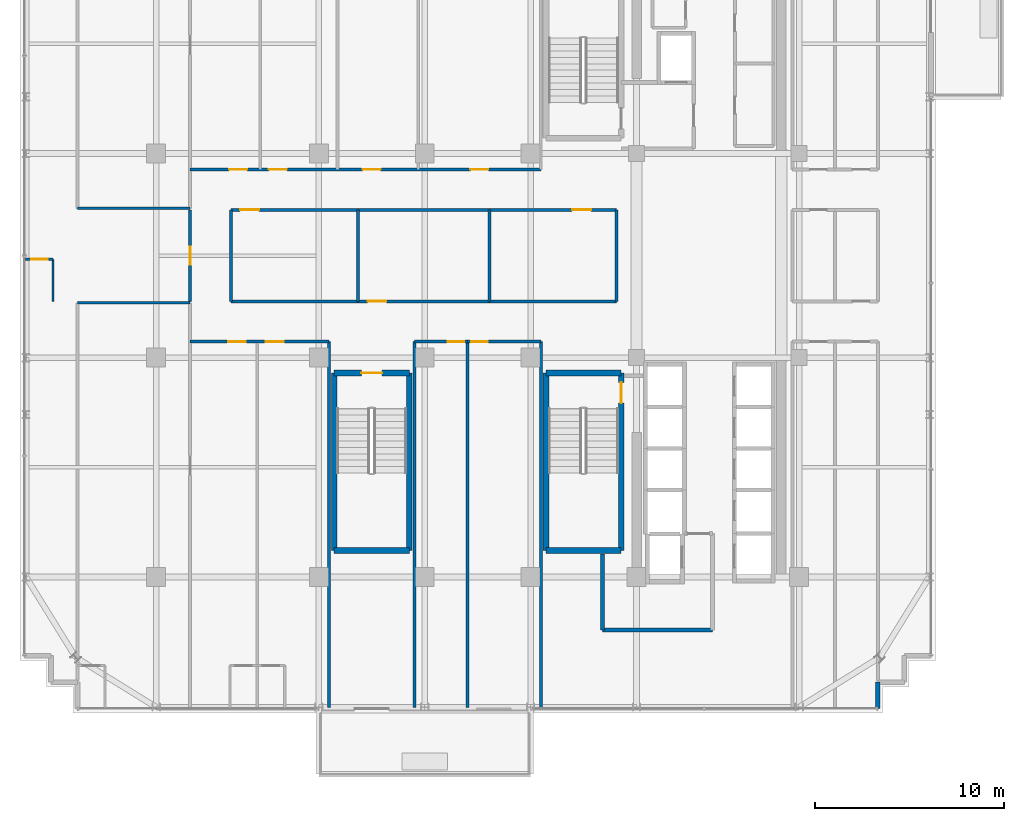
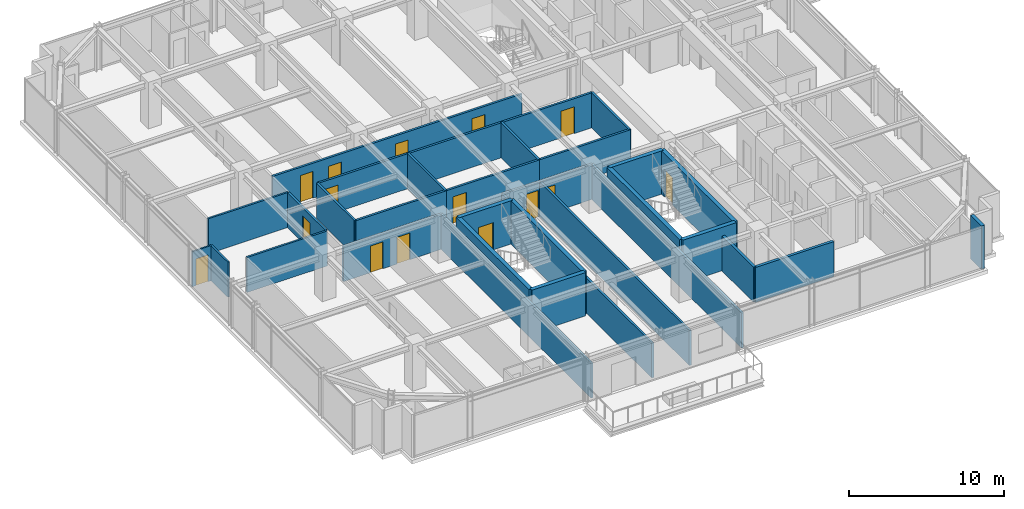
# One storey, part 28 of 34: 34 walls, 15 doors, 15 openings.
"""IFC4 building model written with IfcOpenShell, lengths in metres."""

from ifc_helpers import new_model, si_unit, direction, frame, frame_2d, origin, place, context, subcontext, project, spatial, rectangle, extrude, source, transform, mapped, material, layer, layer_set, type_object, element, fill, save


model = new_model("IFC4")

# Units and contexts
model_context = context("Model", 3, precision=1e-05, world=origin(), true_north=direction((0.0, 1.0)))
body_context = subcontext(model_context, "Body", "Model", "MODEL_VIEW")
ifc_project = project(units=[si_unit("LENGTHUNIT", "METRE"), si_unit("AREAUNIT", "SQUARE_METRE"), si_unit("VOLUMEUNIT", "CUBIC_METRE"), si_unit("PLANEANGLEUNIT", "RADIAN"), si_unit("MASSUNIT", "GRAM", prefix="KILO")], contexts=[model_context])

# Site, building, storey
site_placement = place(None, origin())
site = spatial("IfcSite", under=ifc_project, at=site_placement, CompositionType="ELEMENT")
building_placement = place(site_placement, origin())
building = spatial("IfcBuilding", under=site, at=building_placement, Name="Nahalor Promenade Grand Hotel", CompositionType="ELEMENT")
storey_placement = place(building_placement, frame((0.0, 0.0, 208.60009765625)))
storey = spatial("IfcBuildingStorey", under=building, at=storey_placement, Name="L53", CompositionType="ELEMENT", Elevation=208.60009765625)

# Walls
ifc_material_1 = material(Name="Concrete B-50 (C40/50)", Category="concrete")
ifc_layer_1 = layer(ifc_material_1, 0.300048828125)
ifc_layer_set_1 = layer_set([ifc_layer_1], Name="Concrete B-50 (C40/50)")
wall_type_1 = type_object("IfcWallType", Name="Wall-ShaftShear-300", PredefinedType="SHEAR", material=ifc_layer_set_1)
shared_shape_1 = source(origin(), body_context, "Body", "SweptSolid", [
    extrude(rectangle(XDim=3.97998046875, YDim=0.300048828125, at=frame_2d((1.989990234375, 0.0))), origin(), (0.0, 0.0, 1.0), 3.409912109375),
])
for number, where, z_axis, x_axis, name in (
    (1, (3.610107421875, -15.590087890625, 0.0), (0.0, 0.0, 1.0), (1.0, 0.0, 0.0), "L53 Exit Stair ST2 Shaft Wall S"),
    (2, (3.610107421875, -6.2099609375, 0.0), (0.0, 0.0, 1.0), (1.0, 0.0, 0.0), "L53 Exit Stair ST2 Shaft Wall N"),
    (3, (-7.590087890625, -15.590087890625, 0.0), (0.0, 0.0, 1.0), (1.0, 0.0, 0.0), "L53 Exit Stair ST3 Shaft Wall S"),
):
    element("IfcWall", number, at=place(storey_placement, frame(where, z_axis=z_axis, x_axis=x_axis)), inside=storey, type_object=wall_type_1, Name=name, PredefinedType="SHEAR", context=body_context, shape_type="MappedRepresentation", body=[
        mapped(shared_shape_1, transform((0.0, 0.0, 0.0), scale=1.0)),
    ])

# Wall, opening, door
wall_1_placement = place(storey_placement, frame((-7.590087890625, -6.2099609375, 0.0), z_axis=(0.0, 0.0, 1.0), x_axis=(1.0, 0.0, 0.0)))
wall_1 = element("IfcWall", 4, at=wall_1_placement, inside=storey, type_object=wall_type_1, Name="L53 Exit Stair ST3 Shaft Wall N", PredefinedType="SHEAR", context=body_context, shape_type="MappedRepresentation", body=[
    mapped(shared_shape_1, transform((0.0, 0.0, 0.0), scale=1.0)),
])
opening_1_placement = place(wall_1_placement, frame((1.43994140625, 0.0, 0.0)))
opening_1 = element("IfcOpeningElement", 5, at=opening_1_placement, cuts=wall_1, Name="Opening D-ST1", PredefinedType="OPENING", context=body_context, shape_type="SweptSolid", body=[
    extrude(rectangle(XDim=1.10009765625, YDim=2.14990234375, at=frame_2d((0.550048828125, 1.074951171875))), frame((0.0, 0.159912109375, 0.0), z_axis=(0.0, -1.0, 0.0), x_axis=(1.0, 0.0, 0.0)), (0.0, 0.0, 1.0), 0.320068359375),
])
ifc_material_2 = material(Name="Steel S355JR", Category="steel")
door_type_1 = type_object("IfcDoorType", Name="Door-StairFire-1100", OperationType="NOTDEFINED", PredefinedType="DOOR", material=ifc_material_2)
shared_shape_2 = source(origin(), body_context, "Body", "SweptSolid", [
    extrude(rectangle(XDim=1.10009765625, YDim=2.14990234375, at=frame_2d((0.550048828125, 1.074951171875))), frame((0.0, 0.02490234375, 0.0), z_axis=(0.0, -1.0, 0.0), x_axis=(1.0, 0.0, 0.0)), (0.0, 0.0, 1.0), 0.050048828125),
])
door_1_placement = place(opening_1_placement, frame((1.10009765625, 0.0, 0.0), z_axis=(0.0, 0.0, 1.0), x_axis=(-1.0, 0.0, 0.0)))
door_1 = element("IfcDoor", 6, at=door_1_placement, inside=storey, type_object=door_type_1, Name="DR-STAIR-ST3-L53", OperationType="SINGLE_SWING_RIGHT", OverallHeight=2.14990234375, OverallWidth=1.10009765625, PredefinedType="DOOR", context=body_context, shape_type="MappedRepresentation", body=[
    mapped(shared_shape_2, transform((0.0, 0.0, 0.0), scale=1.0)),
])
fill(opening_1, door_1)

# Wall
shared_shape_3 = source(origin(), body_context, "Body", "SweptSolid", [
    extrude(rectangle(XDim=9.380126953125, YDim=0.300048828125, at=frame_2d((4.68994140625, 0.0))), origin(), (0.0, 0.0, 1.0), 3.409912109375),
])
wall_2_placement = place(storey_placement, frame((3.610107421875, -15.590087890625, 0.0), z_axis=(0.0, 0.0, 1.0), x_axis=(0.0, 1.0, 0.0)))
element("IfcWall", 7, at=wall_2_placement, inside=storey, type_object=wall_type_1, Name="L53 Exit Stair ST2 Shaft Wall W", PredefinedType="SHEAR", context=body_context, shape_type="MappedRepresentation", body=[
    mapped(shared_shape_3, transform((0.0, 0.0, 0.0), scale=1.0)),
])

# Wall, opening, door
wall_3_placement = place(storey_placement, frame((7.590087890625, -15.590087890625, 0.0), z_axis=(0.0, 0.0, 1.0), x_axis=(0.0, 1.0, 0.0)))
wall_3 = element("IfcWall", 8, at=wall_3_placement, inside=storey, type_object=wall_type_1, Name="L53 Exit Stair ST2 Shaft Wall E", PredefinedType="SHEAR", context=body_context, shape_type="MappedRepresentation", body=[
    mapped(shared_shape_3, transform((0.0, 0.0, 0.0), scale=1.0)),
])
opening_2_placement = place(wall_3_placement, frame((7.7900390625, 0.0, 0.0)))
opening_2 = element("IfcOpeningElement", 9, at=opening_2_placement, cuts=wall_3, Name="Opening D-ST1", PredefinedType="OPENING", context=body_context, shape_type="SweptSolid", body=[
    extrude(rectangle(XDim=1.10009765625, YDim=2.14990234375, at=frame_2d((0.550048828125, 1.074951171875))), frame((0.0, 0.159912109375, 0.0), z_axis=(0.0, -1.0, 0.0), x_axis=(1.0, 0.0, 0.0)), (0.0, 0.0, 1.0), 0.320068359375),
])
door_2_placement = place(opening_2_placement, origin())
door_2 = element("IfcDoor", 10, at=door_2_placement, inside=storey, type_object=door_type_1, Name="DR-STAIR-ST2-L53", OperationType="SINGLE_SWING_RIGHT", OverallHeight=2.14990234375, OverallWidth=1.10009765625, PredefinedType="DOOR", context=body_context, shape_type="MappedRepresentation", body=[
    mapped(shared_shape_2, transform((0.0, 0.0, 0.0), scale=1.0)),
])
fill(opening_2, door_2)

# Walls
for number, where, z_axis, x_axis, name in (
    (11, (-7.590087890625, -15.590087890625, 0.0), (0.0, 0.0, 1.0), (0.0, 1.0, 0.0), "L53 Exit Stair ST3 Shaft Wall W"),
    (12, (-3.610107421875, -15.590087890625, 0.0), (0.0, 0.0, 1.0), (0.0, 1.0, 0.0), "L53 Exit Stair ST3 Shaft Wall E"),
):
    element("IfcWall", number, at=place(storey_placement, frame(where, z_axis=z_axis, x_axis=x_axis)), inside=storey, type_object=wall_type_1, Name=name, PredefinedType="SHEAR", context=body_context, shape_type="MappedRepresentation", body=[
        mapped(shared_shape_3, transform((0.0, 0.0, 0.0), scale=1.0)),
    ])
ifc_material_3 = material(Name="Concrete B-40 (C32/40)", Category="concrete")
ifc_layer_2 = layer(ifc_material_3, 0.25)
ifc_layer_set_2 = layer_set([ifc_layer_2], Name="Concrete B-40 (C32/40)")
wall_type_2 = type_object("IfcWallType", Name="Wall-BronzePier-250", PredefinedType="STANDARD", material=ifc_layer_set_2)
shared_shape_4 = source(origin(), body_context, "Body", "SweptSolid", [
    extrude(rectangle(XDim=1.39990234375, YDim=0.25, at=frame_2d((0.699951171875, 0.0))), origin(), (0.0, 0.0, 1.0), 3.409912109375),
])
wall_4_placement = place(storey_placement, frame((21.159912109375, -23.9599609375, 0.0), z_axis=(0.0, 0.0, 1.0), x_axis=(0.0, 1.0, 0.0)))
element("IfcWall", 13, at=wall_4_placement, inside=storey, type_object=wall_type_2, Name="W-L53-SR-01", PredefinedType="STANDARD", context=body_context, shape_type="MappedRepresentation", body=[
    mapped(shared_shape_4, transform((0.0, 0.0, 0.0), scale=1.0)),
])
ifc_layer_3 = layer(ifc_material_3, 0.199951171875)
ifc_layer_set_3 = layer_set([ifc_layer_3], Name="Concrete B-40 (C32/40)")
wall_type_3 = type_object("IfcWallType", Name="Wall-PartFire-200", PredefinedType="PARTITIONING", material=ifc_layer_set_3)
shared_shape_5 = source(origin(), body_context, "Body", "SweptSolid", [
    extrude(rectangle(XDim=5.81982421875, YDim=0.199951171875, at=frame_2d((2.909912109375, 0.0))), origin(), (0.0, 0.0, 1.0), 2.75),
])
wall_5_placement = place(storey_placement, frame((6.60009765625, -19.800048828125, 0.0), z_axis=(0.0, 0.0, 1.0), x_axis=(1.0, 0.0, 0.0)))
element("IfcWall", 14, at=wall_5_placement, inside=storey, type_object=wall_type_3, Name="W-L53-FF2-S1", PredefinedType="PARTITIONING", context=body_context, shape_type="MappedRepresentation", body=[
    mapped(shared_shape_5, transform((0.0, 0.0, 0.0), scale=1.0)),
])
shared_shape_6 = source(origin(), body_context, "Body", "SweptSolid", [
    extrude(rectangle(XDim=4.030029296875, YDim=0.199951171875, at=frame_2d((2.01513671875, 0.0))), origin(), (0.0, 0.0, 1.0), 2.75),
])
wall_6_placement = place(storey_placement, frame((6.60009765625, -19.800048828125, 0.0), z_axis=(0.0, 0.0, 1.0), x_axis=(0.0, 1.0, 0.0)))
element("IfcWall", 15, at=wall_6_placement, inside=storey, type_object=wall_type_3, Name="W-L53-FF2-W1", PredefinedType="PARTITIONING", context=body_context, shape_type="MappedRepresentation", body=[
    mapped(shared_shape_6, transform((0.0, 0.0, 0.0), scale=1.0)),
])
ifc_material_4 = material(Name="Acoustic Mineral Gypsum", Category="gypsum")
ifc_layer_4 = layer(ifc_material_4, 0.159912109375)
ifc_layer_set_4 = layer_set([ifc_layer_4], Name="Acoustic Mineral Gypsum")
wall_type_4 = type_object("IfcWallType", Name="Wall-PartCorridor-160", PredefinedType="PARTITIONING", material=ifc_layer_set_4)
shared_shape_7 = source(origin(), body_context, "Body", "SweptSolid", [
    extrude(rectangle(XDim=19.349853515625, YDim=0.159912109375, at=frame_2d((9.6748046875, 0.0))), origin(), (0.0, 0.0, 1.0), 2.75),
])
for number, where, z_axis, x_axis, name in (
    (16, (-3.340087890625, -23.89990234375, 0.0), (0.0, 0.0, 1.0), (0.0, 1.0, 0.0), "W-L53-SCB1-W"),
    (17, (-0.550048828125, -23.89990234375, 0.0), (0.0, 0.0, 1.0), (0.0, 1.0, 0.0), "W-L53-SCB1-E"),
    (18, (3.340087890625, -23.89990234375, 0.0), (0.0, 0.0, 1.0), (0.0, 1.0, 0.0), "W-L53-SCB2-E"),
):
    element("IfcWall", number, at=place(storey_placement, frame(where, z_axis=z_axis, x_axis=x_axis)), inside=storey, type_object=wall_type_4, Name=name, PredefinedType="PARTITIONING", context=body_context, shape_type="MappedRepresentation", body=[
        mapped(shared_shape_7, transform((0.0, 0.0, 0.0), scale=1.0)),
    ])
ifc_layer_5 = layer(ifc_material_4, 0.139892578125)
ifc_layer_set_5 = layer_set([ifc_layer_5], Name="Acoustic Mineral Gypsum")
wall_type_5 = type_object("IfcWallType", Name="Wall-PartSuite-140", PredefinedType="PARTITIONING", material=ifc_layer_set_5)
shared_shape_8 = source(origin(), body_context, "Body", "SweptSolid", [
    extrude(rectangle(XDim=5.9599609375, YDim=0.139892578125, at=frame_2d((2.97998046875, 0.0))), origin(), (0.0, 0.0, 1.0), 2.75),
])
for number, where, z_axis, x_axis, name in (
    (19, (-21.159912109375, 2.5, 0.0), (0.0, 0.0, 1.0), (1.0, 0.0, 0.0), "W-L53-ZNW-S"),
    (20, (-21.159912109375, -2.5, 0.0), (0.0, 0.0, 1.0), (1.0, 0.0, 0.0), "W-L53-ZSW-N"),
):
    element("IfcWall", number, at=place(storey_placement, frame(where, z_axis=z_axis, x_axis=x_axis)), inside=storey, type_object=wall_type_5, Name=name, PredefinedType="PARTITIONING", context=body_context, shape_type="MappedRepresentation", body=[
        mapped(shared_shape_8, transform((0.0, 0.0, 0.0), scale=1.0)),
    ])

# Wall, opening, door
ifc_layer_6 = layer(ifc_material_4, 0.1201171875)
ifc_layer_set_6 = layer_set([ifc_layer_6], Name="Acoustic Mineral Gypsum")
wall_type_6 = type_object("IfcWallType", Name="Wall-PartBath-120", PredefinedType="PARTITIONING", material=ifc_layer_set_6)
shared_shape_9 = source(origin(), body_context, "Body", "SweptSolid", [
    extrude(rectangle(XDim=1.449951171875, YDim=0.1201171875, at=frame_2d((0.72509765625, 0.0))), origin(), (0.0, 0.0, 1.0), 2.75),
])
wall_7_placement = place(storey_placement, frame((-23.89990234375, -0.199951171875, 0.0), z_axis=(0.0, 0.0, 1.0), x_axis=(1.0, 0.0, 0.0)))
wall_7 = element("IfcWall", 21, at=wall_7_placement, inside=storey, type_object=wall_type_6, Name="W-L53-W1-BH", PredefinedType="PARTITIONING", context=body_context, shape_type="MappedRepresentation", body=[
    mapped(shared_shape_9, transform((0.0, 0.0, 0.0), scale=1.0)),
])
opening_3_placement = place(wall_7_placement, frame((0.284912109375, 0.0, 0.0)))
opening_3 = element("IfcOpeningElement", 22, at=opening_3_placement, cuts=wall_7, Name="Opening D-03", PredefinedType="OPENING", context=body_context, shape_type="SweptSolid", body=[
    extrude(rectangle(XDim=0.8798828125, YDim=2.10009765625, at=frame_2d((0.43994140625, 1.050048828125))), frame((0.0, 0.070068359375, 0.0), z_axis=(0.0, -1.0, 0.0), x_axis=(1.0, 0.0, 0.0)), (0.0, 0.0, 1.0), 0.14013671875),
])
ifc_material_5 = material(Name="Fire-Rated Timber Composite", Category="wood")
door_type_2 = type_object("IfcDoorType", Name="Door-BathSwing-880", OperationType="NOTDEFINED", PredefinedType="DOOR", material=ifc_material_5)
shared_shape_10 = source(origin(), body_context, "Body", "SweptSolid", [
    extrude(rectangle(XDim=0.8798828125, YDim=2.10009765625, at=frame_2d((0.43994140625, 1.050048828125))), frame((0.0, 0.02490234375, 0.0), z_axis=(0.0, -1.0, 0.0), x_axis=(1.0, 0.0, 0.0)), (0.0, 0.0, 1.0), 0.050048828125),
])
door_3_placement = place(opening_3_placement, frame((0.8798828125, 0.0, 0.0), z_axis=(0.0, 0.0, 1.0), x_axis=(-1.0, 0.0, 0.0)))
door_3 = element("IfcDoor", 23, at=door_3_placement, inside=storey, type_object=door_type_2, Name="DR-L53-W1-BATH", OperationType="SINGLE_SWING_LEFT", OverallHeight=2.10009765625, OverallWidth=0.8798828125, PredefinedType="DOOR", context=body_context, shape_type="MappedRepresentation", body=[
    mapped(shared_shape_10, transform((0.0, 0.0, 0.0), scale=1.0)),
])
fill(opening_3, door_3)

# Wall
shared_shape_11 = source(origin(), body_context, "Body", "SweptSolid", [
    extrude(rectangle(XDim=2.219970703125, YDim=0.1201171875, at=frame_2d((1.10986328125, 0.0))), origin(), (0.0, 0.0, 1.0), 2.75),
])
wall_8_placement = place(storey_placement, frame((-22.449951171875, -2.419921875, 0.0), z_axis=(0.0, 0.0, 1.0), x_axis=(0.0, 1.0, 0.0)))
element("IfcWall", 24, at=wall_8_placement, inside=storey, type_object=wall_type_6, Name="W-L53-W1-BV", PredefinedType="PARTITIONING", context=body_context, shape_type="MappedRepresentation", body=[
    mapped(shared_shape_11, transform((0.0, 0.0, 0.0), scale=1.0)),
])

# Wall, openings, doors
shared_shape_12 = source(origin(), body_context, "Body", "SweptSolid", [
    extrude(rectangle(XDim=18.5400390625, YDim=0.159912109375, at=frame_2d((9.27001953125, 0.0))), origin(), (0.0, 0.0, 1.0), 2.75),
])
wall_9_placement = place(storey_placement, frame((-15.199951171875, 4.550048828125, 0.0), z_axis=(0.0, 0.0, 1.0), x_axis=(1.0, 0.0, 0.0)))
wall_9 = element("IfcWall", 25, at=wall_9_placement, inside=storey, type_object=wall_type_4, Name="W-L53-CORR-N", PredefinedType="PARTITIONING", context=body_context, shape_type="MappedRepresentation", body=[
    mapped(shared_shape_12, transform((0.0, 0.0, 0.0), scale=1.0)),
])
opening_4_placement = place(wall_9_placement, frame((2.056884765625, 0.0, 0.0)))
opening_4 = element("IfcOpeningElement", 26, at=opening_4_placement, cuts=wall_9, Name="Opening D-01", PredefinedType="OPENING", context=body_context, shape_type="SweptSolid", body=[
    extrude(rectangle(XDim=0.949951171875, YDim=2.10009765625, at=frame_2d((0.47509765625, 1.050048828125))), frame((0.0, 0.08984375, 0.0), z_axis=(0.0, -1.0, 0.0), x_axis=(1.0, 0.0, 0.0)), (0.0, 0.0, 1.0), 0.179931640625),
])
opening_5_placement = place(wall_9_placement, frame((4.1630859375, 0.0, 0.0)))
opening_5 = element("IfcOpeningElement", 27, at=opening_5_placement, cuts=wall_9, Name="Opening D-01", PredefinedType="OPENING", context=body_context, shape_type="SweptSolid", body=[
    extrude(rectangle(XDim=0.949951171875, YDim=2.10009765625, at=frame_2d((0.47509765625, 1.050048828125))), frame((0.0, 0.08984375, 0.0), z_axis=(0.0, -1.0, 0.0), x_axis=(1.0, 0.0, 0.0)), (0.0, 0.0, 1.0), 0.179931640625),
])
opening_6_placement = place(wall_9_placement, frame((9.116943359375, 0.0, 0.0)))
opening_6 = element("IfcOpeningElement", 28, at=opening_6_placement, cuts=wall_9, Name="Opening D-01", PredefinedType="OPENING", context=body_context, shape_type="SweptSolid", body=[
    extrude(rectangle(XDim=0.949951171875, YDim=2.10009765625, at=frame_2d((0.47509765625, 1.050048828125))), frame((0.0, 0.08984375, 0.0), z_axis=(0.0, -1.0, 0.0), x_axis=(1.0, 0.0, 0.0)), (0.0, 0.0, 1.0), 0.179931640625),
])
opening_7_placement = place(wall_9_placement, frame((14.820068359375, 0.0, 0.0)))
opening_7 = element("IfcOpeningElement", 29, at=opening_7_placement, cuts=wall_9, Name="Opening D-01", PredefinedType="OPENING", context=body_context, shape_type="SweptSolid", body=[
    extrude(rectangle(XDim=0.949951171875, YDim=2.10009765625, at=frame_2d((0.47509765625, 1.050048828125))), frame((0.0, 0.08984375, 0.0), z_axis=(0.0, -1.0, 0.0), x_axis=(1.0, 0.0, 0.0)), (0.0, 0.0, 1.0), 0.179931640625),
])
door_type_3 = type_object("IfcDoorType", Name="Door-GuestEntry-950", OperationType="NOTDEFINED", PredefinedType="DOOR", material=ifc_material_5)
shared_shape_13 = source(origin(), body_context, "Body", "SweptSolid", [
    extrude(rectangle(XDim=0.949951171875, YDim=2.10009765625, at=frame_2d((0.47509765625, 1.050048828125))), frame((0.0, 0.02490234375, 0.0), z_axis=(0.0, -1.0, 0.0), x_axis=(1.0, 0.0, 0.0)), (0.0, 0.0, 1.0), 0.050048828125),
])
door_4_placement = place(opening_4_placement, origin())
door_4 = element("IfcDoor", 30, at=door_4_placement, inside=storey, type_object=door_type_3, Name="DR-L53-N1-ENT", OperationType="SINGLE_SWING_RIGHT", OverallHeight=2.10009765625, OverallWidth=0.949951171875, PredefinedType="DOOR", context=body_context, shape_type="MappedRepresentation", body=[
    mapped(shared_shape_13, transform((0.0, 0.0, 0.0), scale=1.0)),
])
fill(opening_4, door_4)
door_5_placement = place(opening_5_placement, origin())
door_5 = element("IfcDoor", 31, at=door_5_placement, inside=storey, type_object=door_type_3, Name="DR-L53-N2-ENT", OperationType="SINGLE_SWING_RIGHT", OverallHeight=2.10009765625, OverallWidth=0.949951171875, PredefinedType="DOOR", context=body_context, shape_type="MappedRepresentation", body=[
    mapped(shared_shape_13, transform((0.0, 0.0, 0.0), scale=1.0)),
])
fill(opening_5, door_5)
door_6_placement = place(opening_6_placement, origin())
door_6 = element("IfcDoor", 32, at=door_6_placement, inside=storey, type_object=door_type_3, Name="DR-L53-N3-ENT", OperationType="SINGLE_SWING_RIGHT", OverallHeight=2.10009765625, OverallWidth=0.949951171875, PredefinedType="DOOR", context=body_context, shape_type="MappedRepresentation", body=[
    mapped(shared_shape_13, transform((0.0, 0.0, 0.0), scale=1.0)),
])
fill(opening_6, door_6)
door_7_placement = place(opening_7_placement, origin())
door_7 = element("IfcDoor", 33, at=door_7_placement, inside=storey, type_object=door_type_3, Name="DR-L53-N4-ENT", OperationType="SINGLE_SWING_RIGHT", OverallHeight=2.10009765625, OverallWidth=0.949951171875, PredefinedType="DOOR", context=body_context, shape_type="MappedRepresentation", body=[
    mapped(shared_shape_13, transform((0.0, 0.0, 0.0), scale=1.0)),
])
fill(opening_7, door_7)

# Wall
shared_shape_14 = source(origin(), body_context, "Body", "SweptSolid", [
    extrude(rectangle(XDim=19.349853515625, YDim=0.139892578125, at=frame_2d((9.6748046875, 0.0))), origin(), (0.0, 0.0, 1.0), 2.75),
])
wall_10_placement = place(storey_placement, frame((-7.860107421875, -23.89990234375, 0.0), z_axis=(0.0, 0.0, 1.0), x_axis=(0.0, 1.0, 0.0)))
element("IfcWall", 34, at=wall_10_placement, inside=storey, type_object=wall_type_5, Name="W-L53-SW-ENDE", PredefinedType="PARTITIONING", context=body_context, shape_type="MappedRepresentation", body=[
    mapped(shared_shape_14, transform((0.0, 0.0, 0.0), scale=1.0)),
])

# Wall, openings, doors
shared_shape_15 = source(origin(), body_context, "Body", "SweptSolid", [
    extrude(rectangle(XDim=7.33984375, YDim=0.159912109375, at=frame_2d((3.669921875, 0.0))), origin(), (0.0, 0.0, 1.0), 2.75),
])
wall_11_placement = place(storey_placement, frame((-15.199951171875, -4.550048828125, 0.0), z_axis=(0.0, 0.0, 1.0), x_axis=(1.0, 0.0, 0.0)))
wall_11 = element("IfcWall", 35, at=wall_11_placement, inside=storey, type_object=wall_type_4, Name="W-L53-CORR-S", PredefinedType="PARTITIONING", context=body_context, shape_type="MappedRepresentation", body=[
    mapped(shared_shape_15, transform((0.0, 0.0, 0.0), scale=1.0)),
])
opening_8_placement = place(wall_11_placement, frame((2.0, 0.0, 0.0)))
opening_8 = element("IfcOpeningElement", 36, at=opening_8_placement, cuts=wall_11, Name="Opening D-01", PredefinedType="OPENING", context=body_context, shape_type="SweptSolid", body=[
    extrude(rectangle(XDim=0.949951171875, YDim=2.10009765625, at=frame_2d((0.47509765625, 1.050048828125))), frame((0.0, 0.08984375, 0.0), z_axis=(0.0, -1.0, 0.0), x_axis=(1.0, 0.0, 0.0)), (0.0, 0.0, 1.0), 0.179931640625),
])
opening_9_placement = place(wall_11_placement, frame((3.9990234375, 0.0, 0.0)))
opening_9 = element("IfcOpeningElement", 37, at=opening_9_placement, cuts=wall_11, Name="Opening D-01", PredefinedType="OPENING", context=body_context, shape_type="SweptSolid", body=[
    extrude(rectangle(XDim=0.949951171875, YDim=2.10009765625, at=frame_2d((0.47509765625, 1.050048828125))), frame((0.0, 0.08984375, 0.0), z_axis=(0.0, -1.0, 0.0), x_axis=(1.0, 0.0, 0.0)), (0.0, 0.0, 1.0), 0.179931640625),
])
door_8_placement = place(opening_8_placement, frame((0.949951171875, 0.0, 0.0), z_axis=(0.0, 0.0, 1.0), x_axis=(-1.0, 0.0, 0.0)))
door_8 = element("IfcDoor", 38, at=door_8_placement, inside=storey, type_object=door_type_3, Name="DR-L53-S1-ENT", OperationType="SINGLE_SWING_RIGHT", OverallHeight=2.10009765625, OverallWidth=0.949951171875, PredefinedType="DOOR", context=body_context, shape_type="MappedRepresentation", body=[
    mapped(shared_shape_13, transform((0.0, 0.0, 0.0), scale=1.0)),
])
fill(opening_8, door_8)
door_9_placement = place(opening_9_placement, frame((0.949951171875, 0.0, 0.0), z_axis=(0.0, 0.0, 1.0), x_axis=(-1.0, 0.0, 0.0)))
door_9 = element("IfcDoor", 39, at=door_9_placement, inside=storey, type_object=door_type_3, Name="DR-L53-S2-ENT", OperationType="SINGLE_SWING_RIGHT", OverallHeight=2.10009765625, OverallWidth=0.949951171875, PredefinedType="DOOR", context=body_context, shape_type="MappedRepresentation", body=[
    mapped(shared_shape_13, transform((0.0, 0.0, 0.0), scale=1.0)),
])
fill(opening_9, door_9)

# Wall, opening, door
shared_shape_16 = source(origin(), body_context, "Body", "SweptSolid", [
    extrude(rectangle(XDim=4.83984375, YDim=0.159912109375, at=frame_2d((2.419921875, 0.0))), origin(), (0.0, 0.0, 1.0), 2.75),
])
wall_12_placement = place(storey_placement, frame((-15.199951171875, -2.419921875, 0.0), z_axis=(0.0, 0.0, 1.0), x_axis=(0.0, 1.0, 0.0)))
wall_12 = element("IfcWall", 40, at=wall_12_placement, inside=storey, type_object=wall_type_4, Name="W-L53-WEST-E", PredefinedType="PARTITIONING", context=body_context, shape_type="MappedRepresentation", body=[
    mapped(shared_shape_16, transform((0.0, 0.0, 0.0), scale=1.0)),
])
opening_10_placement = place(wall_12_placement, frame((1.945068359375, 0.0, 0.0)))
opening_10 = element("IfcOpeningElement", 41, at=opening_10_placement, cuts=wall_12, Name="Opening D-01", PredefinedType="OPENING", context=body_context, shape_type="SweptSolid", body=[
    extrude(rectangle(XDim=0.949951171875, YDim=2.10009765625, at=frame_2d((0.47509765625, 1.050048828125))), frame((0.0, 0.08984375, 0.0), z_axis=(0.0, -1.0, 0.0), x_axis=(1.0, 0.0, 0.0)), (0.0, 0.0, 1.0), 0.179931640625),
])
door_10_placement = place(opening_10_placement, origin())
door_10 = element("IfcDoor", 42, at=door_10_placement, inside=storey, type_object=door_type_3, Name="DR-L53-W1-ENT", OperationType="SINGLE_SWING_RIGHT", OverallHeight=2.10009765625, OverallWidth=0.949951171875, PredefinedType="DOOR", context=body_context, shape_type="MappedRepresentation", body=[
    mapped(shared_shape_13, transform((0.0, 0.0, 0.0), scale=1.0)),
])
fill(opening_10, door_10)

# Walls
for number, where, z_axis, x_axis, name in (
    (43, (-13.050048828125, -2.419921875, 0.0), (0.0, 0.0, 1.0), (0.0, 1.0, 0.0), "W-L53-CM1-W"),
    (44, (-6.318115234375, -2.419921875, 0.0), (0.0, 0.0, 1.0), (0.0, 1.0, 0.0), "W-L53-CM1-E"),
    (45, (0.617919921875, -2.419921875, 0.0), (0.0, 0.0, 1.0), (0.0, 1.0, 0.0), "W-L53-CM2-E"),
    (46, (7.35009765625, -2.419921875, 0.0), (0.0, 0.0, 1.0), (0.0, 1.0, 0.0), "W-L53-CM3-E"),
):
    element("IfcWall", number, at=place(storey_placement, frame(where, z_axis=z_axis, x_axis=x_axis)), inside=storey, type_object=wall_type_4, Name=name, PredefinedType="PARTITIONING", context=body_context, shape_type="MappedRepresentation", body=[
        mapped(shared_shape_16, transform((0.0, 0.0, 0.0), scale=1.0)),
    ])
shared_shape_17 = source(origin(), body_context, "Body", "SweptSolid", [
    extrude(rectangle(XDim=6.73193359375, YDim=0.159912109375, at=frame_2d((3.365966796875, 0.0))), origin(), (0.0, 0.0, 1.0), 2.75),
])
wall_13_placement = place(storey_placement, frame((-13.050048828125, -2.419921875, 0.0), z_axis=(0.0, 0.0, 1.0), x_axis=(1.0, 0.0, 0.0)))
element("IfcWall", 47, at=wall_13_placement, inside=storey, type_object=wall_type_4, Name="W-L53-CM1-S", PredefinedType="PARTITIONING", context=body_context, shape_type="MappedRepresentation", body=[
    mapped(shared_shape_17, transform((0.0, 0.0, 0.0), scale=1.0)),
])

# Wall, opening, door
wall_14_placement = place(storey_placement, frame((-13.050048828125, 2.419921875, 0.0), z_axis=(0.0, 0.0, 1.0), x_axis=(1.0, 0.0, 0.0)))
wall_14 = element("IfcWall", 48, at=wall_14_placement, inside=storey, type_object=wall_type_4, Name="W-L53-CM1-N", PredefinedType="PARTITIONING", context=body_context, shape_type="MappedRepresentation", body=[
    mapped(shared_shape_17, transform((0.0, 0.0, 0.0), scale=1.0)),
])
opening_11_placement = place(wall_14_placement, frame((0.488037109375, 0.0, 0.0)))
opening_11 = element("IfcOpeningElement", 49, at=opening_11_placement, cuts=wall_14, Name="Opening D-04", PredefinedType="OPENING", context=body_context, shape_type="SweptSolid", body=[
    extrude(rectangle(XDim=1.0, YDim=2.10009765625, at=frame_2d((0.5, 1.050048828125))), frame((0.0, 0.08984375, 0.0), z_axis=(0.0, -1.0, 0.0), x_axis=(1.0, 0.0, 0.0)), (0.0, 0.0, 1.0), 0.179931640625),
])
door_type_4 = type_object("IfcDoorType", Name="Door-ServiceFire-1000", OperationType="NOTDEFINED", PredefinedType="DOOR", material=ifc_material_2)
shared_shape_18 = source(origin(), body_context, "Body", "SweptSolid", [
    extrude(rectangle(XDim=1.0, YDim=2.10009765625, at=frame_2d((0.5, 1.050048828125))), frame((0.0, 0.02490234375, 0.0), z_axis=(0.0, -1.0, 0.0), x_axis=(1.0, 0.0, 0.0)), (0.0, 0.0, 1.0), 0.050048828125),
])
door_11_placement = place(opening_11_placement, frame((1.0, 0.0, 0.0), z_axis=(0.0, 0.0, 1.0), x_axis=(-1.0, 0.0, 0.0)))
door_11 = element("IfcDoor", 50, at=door_11_placement, inside=storey, type_object=door_type_4, Name="DR-L53-CM1", OperationType="SINGLE_SWING_LEFT", OverallHeight=2.10009765625, OverallWidth=1.0, PredefinedType="DOOR", context=body_context, shape_type="MappedRepresentation", body=[
    mapped(shared_shape_18, transform((0.0, 0.0, 0.0), scale=1.0)),
])
fill(opening_11, door_11)

shared_shape_19 = source(origin(), body_context, "Body", "SweptSolid", [
    extrude(rectangle(XDim=6.93603515625, YDim=0.159912109375, at=frame_2d((3.468017578125, 0.0))), origin(), (0.0, 0.0, 1.0), 2.75),
])
wall_15_placement = place(storey_placement, frame((-6.318115234375, -2.419921875, 0.0), z_axis=(0.0, 0.0, 1.0), x_axis=(1.0, 0.0, 0.0)))
wall_15 = element("IfcWall", 51, at=wall_15_placement, inside=storey, type_object=wall_type_4, Name="W-L53-CM2-S", PredefinedType="PARTITIONING", context=body_context, shape_type="MappedRepresentation", body=[
    mapped(shared_shape_19, transform((0.0, 0.0, 0.0), scale=1.0)),
])
opening_12_placement = place(wall_15_placement, frame((0.492919921875, 0.0, 0.0)))
opening_12 = element("IfcOpeningElement", 52, at=opening_12_placement, cuts=wall_15, Name="Opening D-04", PredefinedType="OPENING", context=body_context, shape_type="SweptSolid", body=[
    extrude(rectangle(XDim=1.0, YDim=2.10009765625, at=frame_2d((0.5, 1.050048828125))), frame((0.0, 0.08984375, 0.0), z_axis=(0.0, -1.0, 0.0), x_axis=(1.0, 0.0, 0.0)), (0.0, 0.0, 1.0), 0.179931640625),
])
door_12_placement = place(opening_12_placement, origin())
door_12 = element("IfcDoor", 53, at=door_12_placement, inside=storey, type_object=door_type_4, Name="DR-L53-CM2", OperationType="SINGLE_SWING_RIGHT", OverallHeight=2.10009765625, OverallWidth=1.0, PredefinedType="DOOR", context=body_context, shape_type="MappedRepresentation", body=[
    mapped(shared_shape_18, transform((0.0, 0.0, 0.0), scale=1.0)),
])
fill(opening_12, door_12)

# Walls
wall_16_placement = place(storey_placement, frame((-6.318115234375, 2.419921875, 0.0), z_axis=(0.0, 0.0, 1.0), x_axis=(1.0, 0.0, 0.0)))
element("IfcWall", 54, at=wall_16_placement, inside=storey, type_object=wall_type_4, Name="W-L53-CM2-N", PredefinedType="PARTITIONING", context=body_context, shape_type="MappedRepresentation", body=[
    mapped(shared_shape_19, transform((0.0, 0.0, 0.0), scale=1.0)),
])
shared_shape_20 = source(origin(), body_context, "Body", "SweptSolid", [
    extrude(rectangle(XDim=6.732177734375, YDim=0.159912109375, at=frame_2d((3.3662109375, 0.0))), origin(), (0.0, 0.0, 1.0), 2.75),
])
wall_17_placement = place(storey_placement, frame((0.617919921875, -2.419921875, 0.0), z_axis=(0.0, 0.0, 1.0), x_axis=(1.0, 0.0, 0.0)))
element("IfcWall", 55, at=wall_17_placement, inside=storey, type_object=wall_type_4, Name="W-L53-CM3-S", PredefinedType="PARTITIONING", context=body_context, shape_type="MappedRepresentation", body=[
    mapped(shared_shape_20, transform((0.0, 0.0, 0.0), scale=1.0)),
])

# Wall, opening, door
wall_18_placement = place(storey_placement, frame((0.617919921875, 2.419921875, 0.0), z_axis=(0.0, 0.0, 1.0), x_axis=(1.0, 0.0, 0.0)))
wall_18 = element("IfcWall", 56, at=wall_18_placement, inside=storey, type_object=wall_type_4, Name="W-L53-CM3-N", PredefinedType="PARTITIONING", context=body_context, shape_type="MappedRepresentation", body=[
    mapped(shared_shape_20, transform((0.0, 0.0, 0.0), scale=1.0)),
])
opening_13_placement = place(wall_18_placement, frame((4.37890625, 0.0, 0.0)))
opening_13 = element("IfcOpeningElement", 57, at=opening_13_placement, cuts=wall_18, Name="Opening D-04", PredefinedType="OPENING", context=body_context, shape_type="SweptSolid", body=[
    extrude(rectangle(XDim=1.0, YDim=2.10009765625, at=frame_2d((0.5, 1.050048828125))), frame((0.0, 0.08984375, 0.0), z_axis=(0.0, -1.0, 0.0), x_axis=(1.0, 0.0, 0.0)), (0.0, 0.0, 1.0), 0.179931640625),
])
door_13_placement = place(opening_13_placement, frame((1.0, 0.0, 0.0), z_axis=(0.0, 0.0, 1.0), x_axis=(-1.0, 0.0, 0.0)))
door_13 = element("IfcDoor", 58, at=door_13_placement, inside=storey, type_object=door_type_4, Name="DR-L53-CM3", OperationType="SINGLE_SWING_LEFT", OverallHeight=2.10009765625, OverallWidth=1.0, PredefinedType="DOOR", context=body_context, shape_type="MappedRepresentation", body=[
    mapped(shared_shape_18, transform((0.0, 0.0, 0.0), scale=1.0)),
])
fill(opening_13, door_13)

shared_shape_21 = source(origin(), body_context, "Body", "SweptSolid", [
    extrude(rectangle(XDim=2.7900390625, YDim=0.159912109375, at=frame_2d((1.39501953125, 0.0))), origin(), (0.0, 0.0, 1.0), 2.75),
])
wall_19_placement = place(storey_placement, frame((-3.340087890625, -4.550048828125, 0.0), z_axis=(0.0, 0.0, 1.0), x_axis=(1.0, 0.0, 0.0)))
wall_19 = element("IfcWall", 59, at=wall_19_placement, inside=storey, type_object=wall_type_4, Name="W-L53-SCB1-N", PredefinedType="PARTITIONING", context=body_context, shape_type="MappedRepresentation", body=[
    mapped(shared_shape_21, transform((0.0, 0.0, 0.0), scale=1.0)),
])
opening_14_placement = place(wall_19_placement, frame((1.75, 0.0, 0.0)))
opening_14 = element("IfcOpeningElement", 60, at=opening_14_placement, cuts=wall_19, Name="Opening D-03", PredefinedType="OPENING", context=body_context, shape_type="SweptSolid", body=[
    extrude(rectangle(XDim=0.8798828125, YDim=2.10009765625, at=frame_2d((0.43994140625, 1.050048828125))), frame((0.0, 0.08984375, 0.0), z_axis=(0.0, -1.0, 0.0), x_axis=(1.0, 0.0, 0.0)), (0.0, 0.0, 1.0), 0.179931640625),
])
door_14_placement = place(opening_14_placement, frame((0.8798828125, 0.0, 0.0), z_axis=(0.0, 0.0, 1.0), x_axis=(-1.0, 0.0, 0.0)))
door_14 = element("IfcDoor", 61, at=door_14_placement, inside=storey, type_object=door_type_2, Name="DR-L53-SCB1", OperationType="SINGLE_SWING_LEFT", OverallHeight=2.10009765625, OverallWidth=0.8798828125, PredefinedType="DOOR", context=body_context, shape_type="MappedRepresentation", body=[
    mapped(shared_shape_10, transform((0.0, 0.0, 0.0), scale=1.0)),
])
fill(opening_14, door_14)

shared_shape_22 = source(origin(), body_context, "Body", "SweptSolid", [
    extrude(rectangle(XDim=3.89013671875, YDim=0.159912109375, at=frame_2d((1.945068359375, 0.0))), origin(), (0.0, 0.0, 1.0), 2.75),
])
wall_20_placement = place(storey_placement, frame((-0.550048828125, -4.550048828125, 0.0), z_axis=(0.0, 0.0, 1.0), x_axis=(1.0, 0.0, 0.0)))
wall_20 = element("IfcWall", 62, at=wall_20_placement, inside=storey, type_object=wall_type_4, Name="W-L53-SCB2-N", PredefinedType="PARTITIONING", context=body_context, shape_type="MappedRepresentation", body=[
    mapped(shared_shape_22, transform((0.0, 0.0, 0.0), scale=1.0)),
])
opening_15_placement = place(wall_20_placement, frame((0.2099609375, 0.0, 0.0)))
opening_15 = element("IfcOpeningElement", 63, at=opening_15_placement, cuts=wall_20, Name="Opening D-03", PredefinedType="OPENING", context=body_context, shape_type="SweptSolid", body=[
    extrude(rectangle(XDim=0.8798828125, YDim=2.10009765625, at=frame_2d((0.43994140625, 1.050048828125))), frame((0.0, 0.08984375, 0.0), z_axis=(0.0, -1.0, 0.0), x_axis=(1.0, 0.0, 0.0)), (0.0, 0.0, 1.0), 0.179931640625),
])
door_15_placement = place(opening_15_placement, frame((0.8798828125, 0.0, 0.0), z_axis=(0.0, 0.0, 1.0), x_axis=(-1.0, 0.0, 0.0)))
door_15 = element("IfcDoor", 64, at=door_15_placement, inside=storey, type_object=door_type_2, Name="DR-L53-SCB2", OperationType="SINGLE_SWING_RIGHT", OverallHeight=2.10009765625, OverallWidth=0.8798828125, PredefinedType="DOOR", context=body_context, shape_type="MappedRepresentation", body=[
    mapped(shared_shape_10, transform((0.0, 0.0, 0.0), scale=1.0)),
])
fill(opening_15, door_15)

save(model, "model.ifc")
